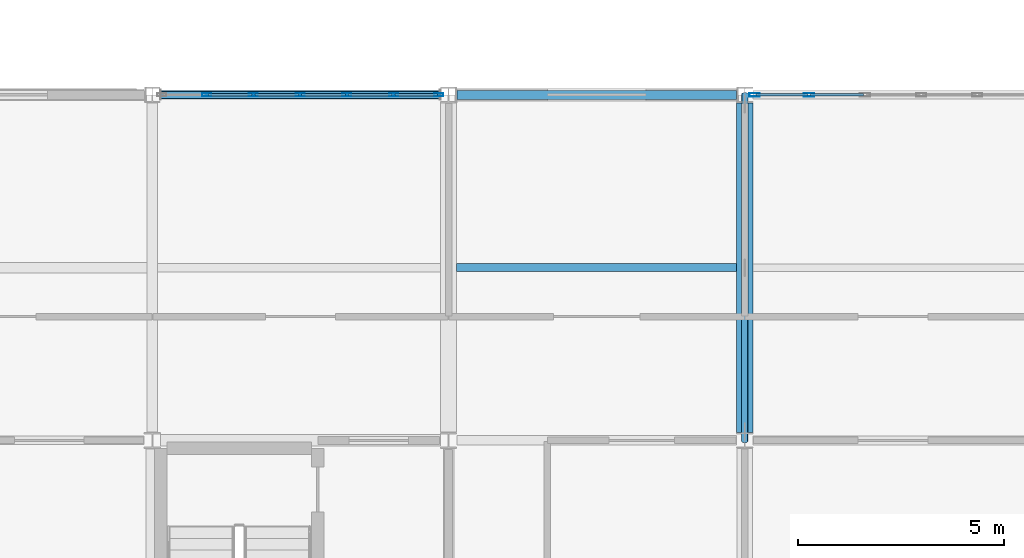
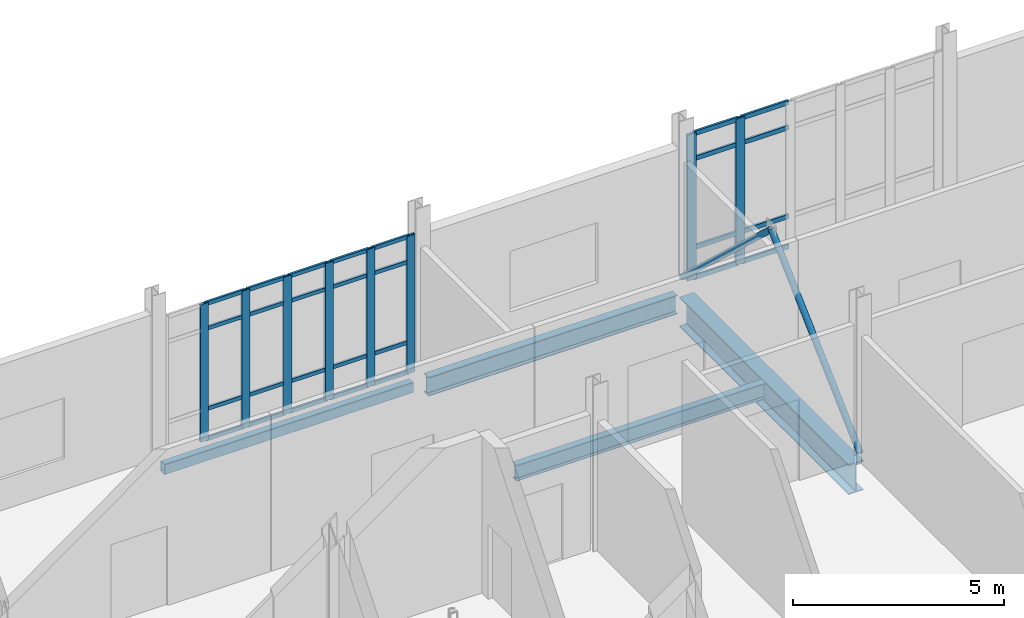
# One storey, part 108 of 186: 38 members, 4 beams, 2 elements without a shape of their own.
"""IFC4 building model written with IfcOpenShell, lengths in metres."""

from ifc_helpers import new_model, si_unit, direction, frame, origin, origin_2d, place, context, subcontext, project, spatial, hollow_rectangle, hollow_circle, i_section, extrude, material, layer, layer_set, material_profile, profile_set, type_object, element, aggregate, save


model = new_model("IFC4")

# Units and contexts
model_context = context("Model", 3, precision=1e-05, world=origin(), true_north=direction((0.0, 1.0)))
body_context = subcontext(model_context, "Body", "Model", "MODEL_VIEW")
ifc_project = project(units=[si_unit("LENGTHUNIT", "METRE"), si_unit("AREAUNIT", "SQUARE_METRE"), si_unit("VOLUMEUNIT", "CUBIC_METRE"), si_unit("PLANEANGLEUNIT", "RADIAN"), si_unit("MASSUNIT", "GRAM", prefix="KILO")], contexts=[model_context])

# Site, building, storey
site_placement = place(None, origin())
site = spatial("IfcSite", under=ifc_project, at=site_placement, CompositionType="ELEMENT")
building_placement = place(site_placement, origin())
building = spatial("IfcBuilding", under=site, at=building_placement, Name="Calvrana Isthmian Art Gallery", CompositionType="ELEMENT")
storey_placement = place(building_placement, frame((0.0, 0.0, 5.39990234375)))
storey = spatial("IfcBuildingStorey", under=building, at=storey_placement, Name="L01", CompositionType="ELEMENT", Elevation=5.39990234375)

# Beams
ifc_material_1 = material(Name="Steel ASTM A992 Gr 50", Category="steel")
ifc_material_profile_1 = material_profile(ifc_material_1, i_section(OverallWidth=0.214111328125, OverallDepth=0.549072265625, WebThickness=0.0146484375, FlangeThickness=0.023681640625, FilletRadius=0.02099609375, at=origin_2d()), Name="W21X93")
ifc_profile_set_1 = profile_set([ifc_material_profile_1], Name="Steel ASTM A992 Gr 50")
beam_type_1 = type_object("IfcBeamType", Name="BM-G-W21X93", PredefinedType="BEAM", material=ifc_profile_set_1)
beam_1_placement = place(storey_placement, frame((134.60205078125, 46.800048828125, -0.519287109375), z_axis=(1.0, 0.0, 0.0), x_axis=(0.0, 1.0, 0.0)))
element("IfcBeam", 1, at=beam_1_placement, inside=storey, type_object=beam_type_1, Name="Girder X L01 18-19/G", PredefinedType="BEAM", context=body_context, shape_type="SweptSolid", body=[
    extrude(i_section(OverallWidth=0.214111328125, OverallDepth=0.549072265625, WebThickness=0.0146484375, FlangeThickness=0.023681640625, FilletRadius=0.02099609375, at=origin_2d()), origin(), (0.0, 0.0, 1.0), 6.79833984375),
])
ifc_material_profile_2 = material_profile(ifc_material_1, i_section(OverallWidth=0.40087890625, OverallDepth=0.85595703125, WebThickness=0.018310546875, FlangeThickness=0.029296875, FilletRadius=0.02587890625, at=origin_2d()), Name="W33X201")
ifc_profile_set_2 = profile_set([ifc_material_profile_2], Name="Steel ASTM A992 Gr 50")
beam_type_2 = type_object("IfcBeamType", Name="BM-G-W33X201", PredefinedType="BEAM", material=ifc_profile_set_2)
beam_2_placement = place(storey_placement, frame((141.60009765625, 38.593017578125, -0.6728515625), z_axis=(0.0, 1.0, 0.0), x_axis=(-1.0, 0.0, 0.0)))
element("IfcBeam", 2, at=beam_2_placement, inside=storey, type_object=beam_type_2, Name="Girder Y L01 19/F-G", PredefinedType="BEAM", context=body_context, shape_type="SweptSolid", body=[
    extrude(i_section(OverallWidth=0.40087890625, OverallDepth=0.85595703125, WebThickness=0.018310546875, FlangeThickness=0.029296875, FilletRadius=0.02587890625, at=origin_2d()), origin(), (0.0, 0.0, 1.0), 8.010009765625),
])
ifc_material_profile_3 = material_profile(ifc_material_1, i_section(OverallWidth=0.19091796875, OverallDepth=0.45703125, WebThickness=0.009033203125, FlangeThickness=0.014404296875, FilletRadius=0.02001953125, at=origin_2d()), Name="W18X50")
ifc_profile_set_3 = profile_set([ifc_material_profile_3], Name="Steel ASTM A992 Gr 50")
beam_type_3 = type_object("IfcBeamType", Name="BM-J-W18X50", PredefinedType="JOIST", material=ifc_profile_set_3)
beam_3_placement = place(storey_placement, frame((134.590576171875, 42.60009765625, -0.473388671875), z_axis=(1.0, 0.0, 0.0), x_axis=(0.0, 1.0, 0.0)))
element("IfcBeam", 3, at=beam_3_placement, inside=storey, type_object=beam_type_3, Name="Composite joist L01 bay 17-05", PredefinedType="JOIST", context=body_context, shape_type="SweptSolid", body=[
    extrude(i_section(OverallWidth=0.19091796875, OverallDepth=0.45703125, WebThickness=0.009033203125, FlangeThickness=0.014404296875, FilletRadius=0.02001953125, at=origin_2d()), origin(), (0.0, 0.0, 1.0), 6.808837890625),
])
ifc_material_2 = material(Name="Steel ASTM A500 Gr C", Category="steel")
ifc_material_profile_4 = material_profile(ifc_material_2, hollow_rectangle(XDim=0.203125, YDim=0.3046875, WallThickness=0.0126953125, OuterFilletRadius=0.02490234375, at=origin_2d()), Name="HSS305X203X12.7")
ifc_profile_set_4 = profile_set([ifc_material_profile_4], Name="Steel ASTM A500 Gr C")
beam_type_4 = type_object("IfcBeamType", Name="BM-SP-HSS305", PredefinedType="SPANDREL", material=ifc_profile_set_4)
beam_4_placement = place(storey_placement, frame((127.3994140625, 46.800048828125, -0.397216796875), z_axis=(1.0, 0.0, 0.0), x_axis=(0.0, 1.0, 0.0)))
element("IfcBeam", 4, at=beam_4_placement, inside=storey, type_object=beam_type_4, Name="Girder X L01 17-18/G", PredefinedType="SPANDREL", context=body_context, shape_type="SweptSolid", body=[
    extrude(hollow_rectangle(XDim=0.203125, YDim=0.3046875, WallThickness=0.0126953125, OuterFilletRadius=0.02490234375, at=origin_2d()), origin(), (0.0, 0.0, 1.0), 6.798583984375),
])

# Curtain wall, members
ifc_material_3 = material(Name="Anodized bronze aluminium 6063-T6", Category="aluminium")
ifc_layer_1 = layer(ifc_material_3, 0.179931640625, Name="Anodized bronze aluminium 6063-T6")
ifc_layer_set_1 = layer_set([ifc_layer_1], Name="Anodized bronze aluminium 6063-T6")
curtain_wall_type_1 = type_object("IfcCurtainWallType", Name="CW-UNIT-068X40", PredefinedType="USERDEFINED", material=ifc_layer_set_1)
curtain_wall_1_placement = place(storey_placement, origin())
curtain_wall_1 = element("IfcCurtainWall", 5, at=curtain_wall_1_placement, inside=storey, type_object=curtain_wall_type_1, Name="Curtain wall CW-100", ObjectType="UNITISED CURTAIN WALL", PredefinedType="USERDEFINED")
ifc_material_profile_5 = material_profile(ifc_material_3, hollow_rectangle(XDim=0.074951171875, YDim=0.219970703125, WallThickness=0.0048828125, at=origin_2d()), Name="CWM75X220")
ifc_profile_set_5 = profile_set([ifc_material_profile_5], Name="Anodized bronze aluminium 6063-T6")
member_type_1 = type_object("IfcMemberType", Name="CWM-CWM75X220", PredefinedType="MULLION", material=ifc_profile_set_5)
member_1_placement = place(storey_placement, frame((128.522216796875, 46.800048828125, 0.0), z_axis=(0.0, 0.0, 1.0), x_axis=(0.0, 1.0, 0.0)))
member_1 = element("IfcMember", 6, at=member_1_placement, type_object=member_type_1, Name="CW-100 mullion 2", PredefinedType="MULLION", context=body_context, shape_type="SweptSolid", body=[
    extrude(hollow_rectangle(XDim=0.074951171875, YDim=0.219970703125, WallThickness=0.0048828125, at=origin_2d()), origin(), (0.0, 0.0, 1.0), 3.97119140625),
])
member_2_placement = place(storey_placement, frame((129.65771484375, 46.800048828125, 0.0), z_axis=(0.0, 0.0, 1.0), x_axis=(0.0, 1.0, 0.0)))
member_2 = element("IfcMember", 7, at=member_2_placement, type_object=member_type_1, Name="CW-100 mullion 3", PredefinedType="MULLION", context=body_context, shape_type="SweptSolid", body=[
    extrude(hollow_rectangle(XDim=0.074951171875, YDim=0.219970703125, WallThickness=0.0048828125, at=origin_2d()), origin(), (0.0, 0.0, 1.0), 3.97119140625),
])
member_3_placement = place(storey_placement, frame((130.79345703125, 46.800048828125, 0.0), z_axis=(0.0, 0.0, 1.0), x_axis=(0.0, 1.0, 0.0)))
member_3 = element("IfcMember", 8, at=member_3_placement, type_object=member_type_1, Name="CW-100 mullion 4", PredefinedType="MULLION", context=body_context, shape_type="SweptSolid", body=[
    extrude(hollow_rectangle(XDim=0.074951171875, YDim=0.219970703125, WallThickness=0.0048828125, at=origin_2d()), origin(), (0.0, 0.0, 1.0), 3.97119140625),
])
member_4_placement = place(storey_placement, frame((131.92919921875, 46.800048828125, 0.0), z_axis=(0.0, 0.0, 1.0), x_axis=(0.0, 1.0, 0.0)))
member_4 = element("IfcMember", 9, at=member_4_placement, type_object=member_type_1, Name="CW-100 mullion 5", PredefinedType="MULLION", context=body_context, shape_type="SweptSolid", body=[
    extrude(hollow_rectangle(XDim=0.074951171875, YDim=0.219970703125, WallThickness=0.0048828125, at=origin_2d()), origin(), (0.0, 0.0, 1.0), 3.97119140625),
])
member_5_placement = place(storey_placement, frame((133.06494140625, 46.800048828125, 0.0), z_axis=(0.0, 0.0, 1.0), x_axis=(0.0, 1.0, 0.0)))
member_5 = element("IfcMember", 10, at=member_5_placement, type_object=member_type_1, Name="CW-100 mullion 6", PredefinedType="MULLION", context=body_context, shape_type="SweptSolid", body=[
    extrude(hollow_rectangle(XDim=0.074951171875, YDim=0.219970703125, WallThickness=0.0048828125, at=origin_2d()), origin(), (0.0, 0.0, 1.0), 3.97119140625),
])
member_6_placement = place(storey_placement, frame((134.1630859375, 46.800048828125, 0.0), z_axis=(0.0, 0.0, 1.0), x_axis=(0.0, 1.0, 0.0)))
member_6 = element("IfcMember", 11, at=member_6_placement, type_object=member_type_1, Name="CW-100 mullion 7", PredefinedType="MULLION", context=body_context, shape_type="SweptSolid", body=[
    extrude(hollow_rectangle(XDim=0.074951171875, YDim=0.219970703125, WallThickness=0.0048828125, at=origin_2d()), origin(), (0.0, 0.0, 1.0), 3.97119140625),
])

ifc_layer_2 = layer(ifc_material_3, 0.179931640625, Name="Anodized bronze aluminium 6063-T6")
ifc_layer_set_2 = layer_set([ifc_layer_2], Name="Anodized bronze aluminium 6063-T6")
curtain_wall_type_2 = type_object("IfcCurtainWallType", Name="CW-UNIT-068X42", PredefinedType="USERDEFINED", material=ifc_layer_set_2)
curtain_wall_2_placement = place(storey_placement, origin())
curtain_wall_2 = element("IfcCurtainWall", 12, at=curtain_wall_2_placement, inside=storey, type_object=curtain_wall_type_2, Name="Curtain wall CW-101", ObjectType="UNITISED CURTAIN WALL", PredefinedType="USERDEFINED")
ifc_material_profile_6 = material_profile(ifc_material_3, hollow_rectangle(XDim=0.080078125, YDim=0.25, WallThickness=0.005615234375, at=origin_2d()), Name="CWM80X250")
ifc_profile_set_6 = profile_set([ifc_material_profile_6], Name="Anodized bronze aluminium 6063-T6")
member_type_2 = type_object("IfcMemberType", Name="CWM-CWM80X250", PredefinedType="MULLION", material=ifc_profile_set_6)
member_7_placement = place(storey_placement, frame((141.837890625, 46.800048828125, 0.0), z_axis=(0.0, 0.0, 1.0), x_axis=(0.0, 1.0, 0.0)))
member_7 = element("IfcMember", 13, at=member_7_placement, type_object=member_type_2, Name="CW-101 mullion 1", PredefinedType="MULLION", context=body_context, shape_type="SweptSolid", body=[
    extrude(hollow_rectangle(XDim=0.080078125, YDim=0.25, WallThickness=0.005615234375, at=origin_2d()), origin(), (0.0, 0.0, 1.0), 4.21533203125),
])
member_8_placement = place(storey_placement, frame((143.161376953125, 46.800048828125, 0.0), z_axis=(0.0, 0.0, 1.0), x_axis=(0.0, 1.0, 0.0)))
member_8 = element("IfcMember", 14, at=member_8_placement, type_object=member_type_2, Name="CW-101 mullion 2", PredefinedType="MULLION", context=body_context, shape_type="SweptSolid", body=[
    extrude(hollow_rectangle(XDim=0.080078125, YDim=0.25, WallThickness=0.005615234375, at=origin_2d()), origin(), (0.0, 0.0, 1.0), 4.21533203125),
])

# Member
ifc_material_profile_7 = material_profile(ifc_material_3, hollow_rectangle(XDim=0.06005859375, YDim=0.110107421875, WallThickness=0.00341796875, at=origin_2d()), Name="CWT60X110")
ifc_profile_set_7 = profile_set([ifc_material_profile_7], Name="Anodized bronze aluminium 6063-T6")
member_type_3 = type_object("IfcMemberType", Name="CWT-CWT60X110", PredefinedType="USERDEFINED", material=ifc_profile_set_7)
member_9_placement = place(storey_placement, frame((128.5595703125, 46.800048828125, 0.030029296875), z_axis=(1.0, 0.0, 0.0), x_axis=(0.0, 1.0, 0.0)))
member_9 = element("IfcMember", 15, at=member_9_placement, type_object=member_type_3, Name="CW-100 transom 2.1", ObjectType="TRANSOM", PredefinedType="USERDEFINED", context=body_context, shape_type="SweptSolid", body=[
    extrude(hollow_rectangle(XDim=0.06005859375, YDim=0.110107421875, WallThickness=0.00341796875, at=origin_2d()), origin(), (0.0, 0.0, 1.0), 1.060791015625),
])

member_10_placement = place(storey_placement, frame((128.5595703125, 46.800048828125, 0.900146484375), z_axis=(1.0, 0.0, 0.0), x_axis=(0.0, 1.0, 0.0)))
member_10 = element("IfcMember", 16, at=member_10_placement, type_object=member_type_3, Name="CW-100 transom 2.2", ObjectType="TRANSOM", PredefinedType="USERDEFINED", context=body_context, shape_type="SweptSolid", body=[
    extrude(hollow_rectangle(XDim=0.06005859375, YDim=0.110107421875, WallThickness=0.00341796875, at=origin_2d()), origin(), (0.0, 0.0, 1.0), 1.060791015625),
])

member_11_placement = place(storey_placement, frame((128.5595703125, 46.800048828125, 3.22119140625), z_axis=(1.0, 0.0, 0.0), x_axis=(0.0, 1.0, 0.0)))
member_11 = element("IfcMember", 17, at=member_11_placement, type_object=member_type_3, Name="CW-100 transom 2.3", ObjectType="TRANSOM", PredefinedType="USERDEFINED", context=body_context, shape_type="SweptSolid", body=[
    extrude(hollow_rectangle(XDim=0.06005859375, YDim=0.110107421875, WallThickness=0.00341796875, at=origin_2d()), origin(), (0.0, 0.0, 1.0), 1.060791015625),
])

member_12_placement = place(storey_placement, frame((128.5595703125, 46.800048828125, 3.941162109375), z_axis=(1.0, 0.0, 0.0), x_axis=(0.0, 1.0, 0.0)))
member_12 = element("IfcMember", 18, at=member_12_placement, type_object=member_type_3, Name="CW-100 transom 2.4", ObjectType="TRANSOM", PredefinedType="USERDEFINED", context=body_context, shape_type="SweptSolid", body=[
    extrude(hollow_rectangle(XDim=0.06005859375, YDim=0.110107421875, WallThickness=0.00341796875, at=origin_2d()), origin(), (0.0, 0.0, 1.0), 1.060791015625),
])

member_13_placement = place(storey_placement, frame((129.6953125, 46.800048828125, 0.030029296875), z_axis=(1.0, 0.0, 0.0), x_axis=(0.0, 1.0, 0.0)))
member_13 = element("IfcMember", 19, at=member_13_placement, type_object=member_type_3, Name="CW-100 transom 3.1", ObjectType="TRANSOM", PredefinedType="USERDEFINED", context=body_context, shape_type="SweptSolid", body=[
    extrude(hollow_rectangle(XDim=0.06005859375, YDim=0.110107421875, WallThickness=0.00341796875, at=origin_2d()), origin(), (0.0, 0.0, 1.0), 1.060791015625),
])

member_14_placement = place(storey_placement, frame((129.6953125, 46.800048828125, 0.900146484375), z_axis=(1.0, 0.0, 0.0), x_axis=(0.0, 1.0, 0.0)))
member_14 = element("IfcMember", 20, at=member_14_placement, type_object=member_type_3, Name="CW-100 transom 3.2", ObjectType="TRANSOM", PredefinedType="USERDEFINED", context=body_context, shape_type="SweptSolid", body=[
    extrude(hollow_rectangle(XDim=0.06005859375, YDim=0.110107421875, WallThickness=0.00341796875, at=origin_2d()), origin(), (0.0, 0.0, 1.0), 1.060791015625),
])

member_15_placement = place(storey_placement, frame((129.6953125, 46.800048828125, 3.22119140625), z_axis=(1.0, 0.0, 0.0), x_axis=(0.0, 1.0, 0.0)))
member_15 = element("IfcMember", 21, at=member_15_placement, type_object=member_type_3, Name="CW-100 transom 3.3", ObjectType="TRANSOM", PredefinedType="USERDEFINED", context=body_context, shape_type="SweptSolid", body=[
    extrude(hollow_rectangle(XDim=0.06005859375, YDim=0.110107421875, WallThickness=0.00341796875, at=origin_2d()), origin(), (0.0, 0.0, 1.0), 1.060791015625),
])

member_16_placement = place(storey_placement, frame((129.6953125, 46.800048828125, 3.941162109375), z_axis=(1.0, 0.0, 0.0), x_axis=(0.0, 1.0, 0.0)))
member_16 = element("IfcMember", 22, at=member_16_placement, type_object=member_type_3, Name="CW-100 transom 3.4", ObjectType="TRANSOM", PredefinedType="USERDEFINED", context=body_context, shape_type="SweptSolid", body=[
    extrude(hollow_rectangle(XDim=0.06005859375, YDim=0.110107421875, WallThickness=0.00341796875, at=origin_2d()), origin(), (0.0, 0.0, 1.0), 1.060791015625),
])

member_17_placement = place(storey_placement, frame((130.8310546875, 46.800048828125, 0.030029296875), z_axis=(1.0, 0.0, 0.0), x_axis=(0.0, 1.0, 0.0)))
member_17 = element("IfcMember", 23, at=member_17_placement, type_object=member_type_3, Name="CW-100 transom 4.1", ObjectType="TRANSOM", PredefinedType="USERDEFINED", context=body_context, shape_type="SweptSolid", body=[
    extrude(hollow_rectangle(XDim=0.06005859375, YDim=0.110107421875, WallThickness=0.00341796875, at=origin_2d()), origin(), (0.0, 0.0, 1.0), 1.060546875),
])

member_18_placement = place(storey_placement, frame((130.8310546875, 46.800048828125, 0.900146484375), z_axis=(1.0, 0.0, 0.0), x_axis=(0.0, 1.0, 0.0)))
member_18 = element("IfcMember", 24, at=member_18_placement, type_object=member_type_3, Name="CW-100 transom 4.2", ObjectType="TRANSOM", PredefinedType="USERDEFINED", context=body_context, shape_type="SweptSolid", body=[
    extrude(hollow_rectangle(XDim=0.06005859375, YDim=0.110107421875, WallThickness=0.00341796875, at=origin_2d()), origin(), (0.0, 0.0, 1.0), 1.060546875),
])

member_19_placement = place(storey_placement, frame((130.8310546875, 46.800048828125, 3.22119140625), z_axis=(1.0, 0.0, 0.0), x_axis=(0.0, 1.0, 0.0)))
member_19 = element("IfcMember", 25, at=member_19_placement, type_object=member_type_3, Name="CW-100 transom 4.3", ObjectType="TRANSOM", PredefinedType="USERDEFINED", context=body_context, shape_type="SweptSolid", body=[
    extrude(hollow_rectangle(XDim=0.06005859375, YDim=0.110107421875, WallThickness=0.00341796875, at=origin_2d()), origin(), (0.0, 0.0, 1.0), 1.060546875),
])

member_20_placement = place(storey_placement, frame((130.8310546875, 46.800048828125, 3.941162109375), z_axis=(1.0, 0.0, 0.0), x_axis=(0.0, 1.0, 0.0)))
member_20 = element("IfcMember", 26, at=member_20_placement, type_object=member_type_3, Name="CW-100 transom 4.4", ObjectType="TRANSOM", PredefinedType="USERDEFINED", context=body_context, shape_type="SweptSolid", body=[
    extrude(hollow_rectangle(XDim=0.06005859375, YDim=0.110107421875, WallThickness=0.00341796875, at=origin_2d()), origin(), (0.0, 0.0, 1.0), 1.060546875),
])

member_21_placement = place(storey_placement, frame((131.966552734375, 46.800048828125, 0.030029296875), z_axis=(1.0, 0.0, 0.0), x_axis=(0.0, 1.0, 0.0)))
member_21 = element("IfcMember", 27, at=member_21_placement, type_object=member_type_3, Name="CW-100 transom 5.1", ObjectType="TRANSOM", PredefinedType="USERDEFINED", context=body_context, shape_type="SweptSolid", body=[
    extrude(hollow_rectangle(XDim=0.06005859375, YDim=0.110107421875, WallThickness=0.00341796875, at=origin_2d()), origin(), (0.0, 0.0, 1.0), 1.060791015625),
])

member_22_placement = place(storey_placement, frame((131.966552734375, 46.800048828125, 0.900146484375), z_axis=(1.0, 0.0, 0.0), x_axis=(0.0, 1.0, 0.0)))
member_22 = element("IfcMember", 28, at=member_22_placement, type_object=member_type_3, Name="CW-100 transom 5.2", ObjectType="TRANSOM", PredefinedType="USERDEFINED", context=body_context, shape_type="SweptSolid", body=[
    extrude(hollow_rectangle(XDim=0.06005859375, YDim=0.110107421875, WallThickness=0.00341796875, at=origin_2d()), origin(), (0.0, 0.0, 1.0), 1.060791015625),
])

member_23_placement = place(storey_placement, frame((131.966552734375, 46.800048828125, 3.22119140625), z_axis=(1.0, 0.0, 0.0), x_axis=(0.0, 1.0, 0.0)))
member_23 = element("IfcMember", 29, at=member_23_placement, type_object=member_type_3, Name="CW-100 transom 5.3", ObjectType="TRANSOM", PredefinedType="USERDEFINED", context=body_context, shape_type="SweptSolid", body=[
    extrude(hollow_rectangle(XDim=0.06005859375, YDim=0.110107421875, WallThickness=0.00341796875, at=origin_2d()), origin(), (0.0, 0.0, 1.0), 1.060791015625),
])

member_24_placement = place(storey_placement, frame((131.966552734375, 46.800048828125, 3.941162109375), z_axis=(1.0, 0.0, 0.0), x_axis=(0.0, 1.0, 0.0)))
member_24 = element("IfcMember", 30, at=member_24_placement, type_object=member_type_3, Name="CW-100 transom 5.4", ObjectType="TRANSOM", PredefinedType="USERDEFINED", context=body_context, shape_type="SweptSolid", body=[
    extrude(hollow_rectangle(XDim=0.06005859375, YDim=0.110107421875, WallThickness=0.00341796875, at=origin_2d()), origin(), (0.0, 0.0, 1.0), 1.060791015625),
])

member_25_placement = place(storey_placement, frame((133.102294921875, 46.800048828125, 0.030029296875), z_axis=(1.0, 0.0, 0.0), x_axis=(0.0, 1.0, 0.0)))
member_25 = element("IfcMember", 31, at=member_25_placement, type_object=member_type_3, Name="CW-100 transom 6.1", ObjectType="TRANSOM", PredefinedType="USERDEFINED", context=body_context, shape_type="SweptSolid", body=[
    extrude(hollow_rectangle(XDim=0.06005859375, YDim=0.110107421875, WallThickness=0.00341796875, at=origin_2d()), origin(), (0.0, 0.0, 1.0), 1.023193359375),
])

member_26_placement = place(storey_placement, frame((133.102294921875, 46.800048828125, 0.900146484375), z_axis=(1.0, 0.0, 0.0), x_axis=(0.0, 1.0, 0.0)))
member_26 = element("IfcMember", 32, at=member_26_placement, type_object=member_type_3, Name="CW-100 transom 6.2", ObjectType="TRANSOM", PredefinedType="USERDEFINED", context=body_context, shape_type="SweptSolid", body=[
    extrude(hollow_rectangle(XDim=0.06005859375, YDim=0.110107421875, WallThickness=0.00341796875, at=origin_2d()), origin(), (0.0, 0.0, 1.0), 1.023193359375),
])

member_27_placement = place(storey_placement, frame((133.102294921875, 46.800048828125, 3.22119140625), z_axis=(1.0, 0.0, 0.0), x_axis=(0.0, 1.0, 0.0)))
member_27 = element("IfcMember", 33, at=member_27_placement, type_object=member_type_3, Name="CW-100 transom 6.3", ObjectType="TRANSOM", PredefinedType="USERDEFINED", context=body_context, shape_type="SweptSolid", body=[
    extrude(hollow_rectangle(XDim=0.06005859375, YDim=0.110107421875, WallThickness=0.00341796875, at=origin_2d()), origin(), (0.0, 0.0, 1.0), 1.023193359375),
])

member_28_placement = place(storey_placement, frame((133.102294921875, 46.800048828125, 3.941162109375), z_axis=(1.0, 0.0, 0.0), x_axis=(0.0, 1.0, 0.0)))
member_28 = element("IfcMember", 34, at=member_28_placement, type_object=member_type_3, Name="CW-100 transom 6.4", ObjectType="TRANSOM", PredefinedType="USERDEFINED", context=body_context, shape_type="SweptSolid", body=[
    extrude(hollow_rectangle(XDim=0.06005859375, YDim=0.110107421875, WallThickness=0.00341796875, at=origin_2d()), origin(), (0.0, 0.0, 1.0), 1.023193359375),
])

aggregate(curtain_wall_1, [member_1, member_2, member_3, member_4, member_5, member_6, member_9, member_10, member_11, member_12, member_13, member_14, member_15, member_16, member_17, member_18, member_19, member_20, member_21, member_22, member_23, member_24, member_25, member_26, member_27, member_28])

ifc_material_profile_8 = material_profile(ifc_material_3, hollow_rectangle(XDim=0.06005859375, YDim=0.1298828125, WallThickness=0.00390625, at=origin_2d()), Name="CWT60X130")
ifc_profile_set_8 = profile_set([ifc_material_profile_8], Name="Anodized bronze aluminium 6063-T6")
member_type_4 = type_object("IfcMemberType", Name="CWT-CWT60X130", PredefinedType="USERDEFINED", material=ifc_profile_set_8)
member_29_placement = place(storey_placement, frame((141.8779296875, 46.800048828125, 0.030029296875), z_axis=(1.0, 0.0, 0.0), x_axis=(0.0, 1.0, 0.0)))
member_29 = element("IfcMember", 35, at=member_29_placement, type_object=member_type_4, Name="CW-101 transom 1.1", ObjectType="TRANSOM", PredefinedType="USERDEFINED", context=body_context, shape_type="SweptSolid", body=[
    extrude(hollow_rectangle(XDim=0.06005859375, YDim=0.1298828125, WallThickness=0.00390625, at=origin_2d()), origin(), (0.0, 0.0, 1.0), 1.243408203125),
])

member_30_placement = place(storey_placement, frame((141.8779296875, 46.800048828125, 0.900146484375), z_axis=(1.0, 0.0, 0.0), x_axis=(0.0, 1.0, 0.0)))
member_30 = element("IfcMember", 36, at=member_30_placement, type_object=member_type_4, Name="CW-101 transom 1.2", ObjectType="TRANSOM", PredefinedType="USERDEFINED", context=body_context, shape_type="SweptSolid", body=[
    extrude(hollow_rectangle(XDim=0.06005859375, YDim=0.1298828125, WallThickness=0.00390625, at=origin_2d()), origin(), (0.0, 0.0, 1.0), 1.243408203125),
])

member_31_placement = place(storey_placement, frame((141.8779296875, 46.800048828125, 3.46533203125), z_axis=(1.0, 0.0, 0.0), x_axis=(0.0, 1.0, 0.0)))
member_31 = element("IfcMember", 37, at=member_31_placement, type_object=member_type_4, Name="CW-101 transom 1.3", ObjectType="TRANSOM", PredefinedType="USERDEFINED", context=body_context, shape_type="SweptSolid", body=[
    extrude(hollow_rectangle(XDim=0.06005859375, YDim=0.1298828125, WallThickness=0.00390625, at=origin_2d()), origin(), (0.0, 0.0, 1.0), 1.243408203125),
])

member_32_placement = place(storey_placement, frame((141.8779296875, 46.800048828125, 4.185302734375), z_axis=(1.0, 0.0, 0.0), x_axis=(0.0, 1.0, 0.0)))
member_32 = element("IfcMember", 38, at=member_32_placement, type_object=member_type_4, Name="CW-101 transom 1.4", ObjectType="TRANSOM", PredefinedType="USERDEFINED", context=body_context, shape_type="SweptSolid", body=[
    extrude(hollow_rectangle(XDim=0.06005859375, YDim=0.1298828125, WallThickness=0.00390625, at=origin_2d()), origin(), (0.0, 0.0, 1.0), 1.243408203125),
])

member_33_placement = place(storey_placement, frame((143.201416015625, 46.800048828125, 0.030029296875), z_axis=(1.0, 0.0, 0.0), x_axis=(0.0, 1.0, 0.0)))
member_33 = element("IfcMember", 39, at=member_33_placement, type_object=member_type_4, Name="CW-101 transom 2.1", ObjectType="TRANSOM", PredefinedType="USERDEFINED", context=body_context, shape_type="SweptSolid", body=[
    extrude(hollow_rectangle(XDim=0.06005859375, YDim=0.1298828125, WallThickness=0.00390625, at=origin_2d()), origin(), (0.0, 0.0, 1.0), 1.283203125),
])

member_34_placement = place(storey_placement, frame((143.201416015625, 46.800048828125, 0.900146484375), z_axis=(1.0, 0.0, 0.0), x_axis=(0.0, 1.0, 0.0)))
member_34 = element("IfcMember", 40, at=member_34_placement, type_object=member_type_4, Name="CW-101 transom 2.2", ObjectType="TRANSOM", PredefinedType="USERDEFINED", context=body_context, shape_type="SweptSolid", body=[
    extrude(hollow_rectangle(XDim=0.06005859375, YDim=0.1298828125, WallThickness=0.00390625, at=origin_2d()), origin(), (0.0, 0.0, 1.0), 1.283203125),
])

member_35_placement = place(storey_placement, frame((143.201416015625, 46.800048828125, 3.46533203125), z_axis=(1.0, 0.0, 0.0), x_axis=(0.0, 1.0, 0.0)))
member_35 = element("IfcMember", 41, at=member_35_placement, type_object=member_type_4, Name="CW-101 transom 2.3", ObjectType="TRANSOM", PredefinedType="USERDEFINED", context=body_context, shape_type="SweptSolid", body=[
    extrude(hollow_rectangle(XDim=0.06005859375, YDim=0.1298828125, WallThickness=0.00390625, at=origin_2d()), origin(), (0.0, 0.0, 1.0), 1.283203125),
])

member_36_placement = place(storey_placement, frame((143.201416015625, 46.800048828125, 4.185302734375), z_axis=(1.0, 0.0, 0.0), x_axis=(0.0, 1.0, 0.0)))
member_36 = element("IfcMember", 42, at=member_36_placement, type_object=member_type_4, Name="CW-101 transom 2.4", ObjectType="TRANSOM", PredefinedType="USERDEFINED", context=body_context, shape_type="SweptSolid", body=[
    extrude(hollow_rectangle(XDim=0.06005859375, YDim=0.1298828125, WallThickness=0.00390625, at=origin_2d()), origin(), (0.0, 0.0, 1.0), 1.283203125),
])

aggregate(curtain_wall_2, [member_7, member_8, member_29, member_30, member_31, member_32, member_33, member_34, member_35, member_36])

# Members
ifc_material_profile_9 = material_profile(ifc_material_2, hollow_circle(Radius=0.084228515625, WallThickness=0.009521484375, at=origin_2d()), Name="HSS168.3X9.5")
ifc_profile_set_9 = profile_set([ifc_material_profile_9], Name="Steel ASTM A500 Gr C")
member_type_5 = type_object("IfcMemberType", Name="MB-BR-CHS168", PredefinedType="BRACE", material=ifc_profile_set_9)
for number, where, z_axis, x_axis, name in (
    (43, (141.60009765625, 38.39990234375, 0.150146484375), (0.0, 0.730950706704, 0.682430263374), (-1.0, 0.0, 0.0), "Chevron lateral brace L01-8A"),
    (44, (141.60009765625, 46.800048828125, 0.150146484375), (0.0, -0.730930918999, 0.682451457359), (1.0, 0.0, 0.0), "Chevron lateral brace L01-8B"),
):
    element("IfcMember", number, at=place(storey_placement, frame(where, z_axis=z_axis, x_axis=x_axis)), inside=storey, type_object=member_type_5, Name=name, PredefinedType="BRACE", context=body_context, shape_type="SweptSolid", body=[
        extrude(hollow_circle(Radius=0.084228515625, WallThickness=0.009521484375, at=origin_2d()), origin(), (0.0, 0.0, 1.0), 5.74609375),
    ])

save(model, "model.ifc")
